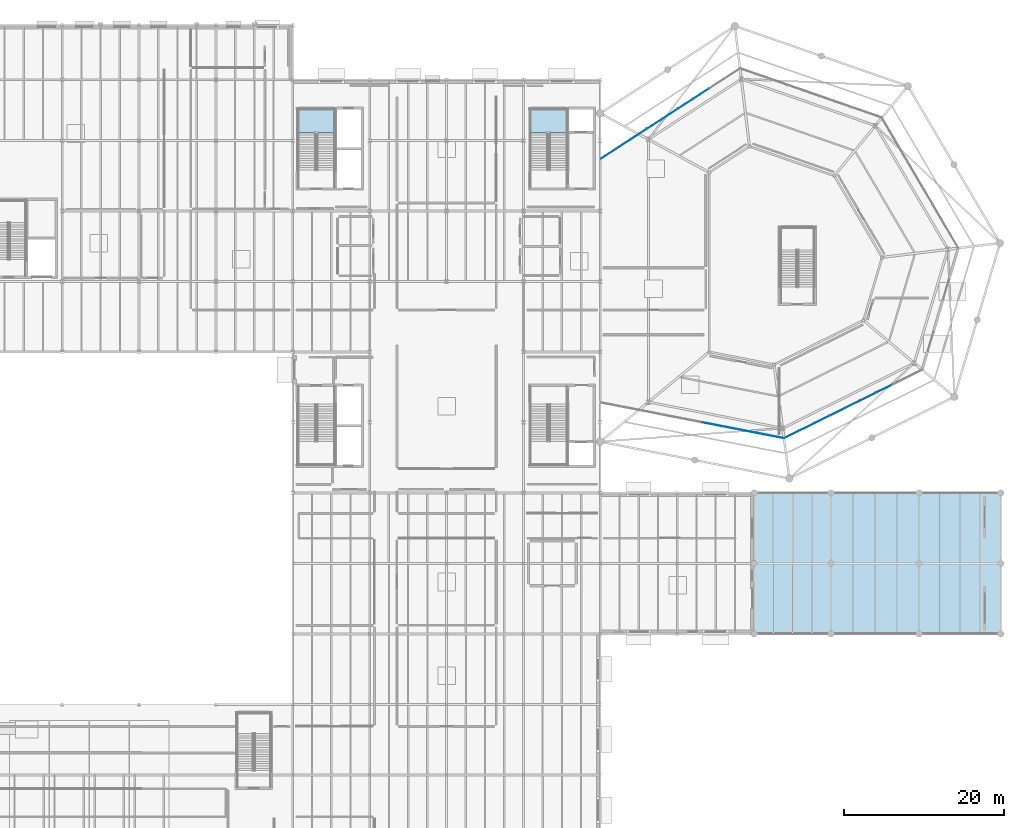
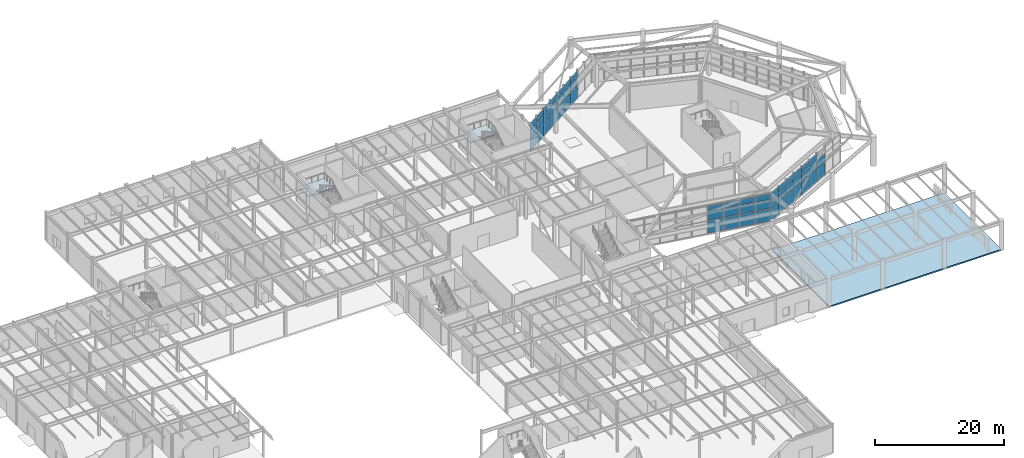
# One storey, part 38 of 70: 53 plates, 3 slabs, 10 elements without a shape of their own.
"""IFC4 building model written with IfcOpenShell, lengths in metres."""

from ifc_helpers import new_model, si_unit, direction, frame, origin, origin_2d, place, context, subcontext, project, spatial, polyline, rectangle, outline, extrude, material, layer, layer_set, type_object, element, aggregate, save


model = new_model("IFC4")

# Units and contexts
model_context = context("Model", 3, precision=1e-05, world=origin(), true_north=direction((0.0, 1.0)))
body_context = subcontext(model_context, "Body", "Model", "MODEL_VIEW")
ifc_project = project(units=[si_unit("LENGTHUNIT", "METRE"), si_unit("AREAUNIT", "SQUARE_METRE"), si_unit("VOLUMEUNIT", "CUBIC_METRE"), si_unit("PLANEANGLEUNIT", "RADIAN"), si_unit("MASSUNIT", "GRAM", prefix="KILO")], contexts=[model_context])

# Site, building, storey
site_placement = place(None, origin())
site = spatial("IfcSite", under=ifc_project, at=site_placement, CompositionType="ELEMENT")
building_placement = place(site_placement, origin())
building = spatial("IfcBuilding", under=site, at=building_placement, Name="Sarnbrook Museum", CompositionType="ELEMENT")
storey_placement = place(building_placement, origin())
storey = spatial("IfcBuildingStorey", under=building, at=storey_placement, Name="L00", CompositionType="ELEMENT", Elevation=0.0)

# Curtain wall, plates
ifc_material_1 = material(Name="Thermally Broken Anodised Aluminium 6063-T6", Category="aluminium")
curtain_wall_type = type_object("IfcCurtainWallType", Name="CurtainWall_Colonnade", PredefinedType="NOTDEFINED", material=ifc_material_1)
curtain_wall_1_placement = place(storey_placement, origin())
curtain_wall_1 = element("IfcCurtainWall", 1, at=curtain_wall_1_placement, inside=storey, type_object=curtain_wall_type, Name="Colonnade Recessed Glazing L00-F1.2", PredefinedType="NOTDEFINED")
ifc_material_2 = material(Name="Double-Glazed Low-Iron Laminated Safety Glass", Category="glass")
ifc_layer_1 = layer(ifc_material_2, 0.031982421875)
ifc_layer_set_1 = layer_set([ifc_layer_1], Name="Double-Glazed Low-Iron Laminated Safety Glass")
plate_type = type_object("IfcPlateType", Name="CW_GlazedPanel_32", PredefinedType="CURTAIN_PANEL", material=ifc_layer_set_1)
plate_1_placement = place(storey_placement, frame((133.211181640625, 65.367431640625, 1.22509765625), z_axis=(-0.191314393013, -0.981528809066, 0.0), x_axis=(0.981528809066, -0.191314393013, 0.0)))
plate_1 = element("IfcPlate", 2, at=plate_1_placement, type_object=plate_type, Name="Colonnade Recessed Glazing L00-F1.2 Glazed Panel 3-1", PredefinedType="CURTAIN_PANEL", context=body_context, shape_type="SweptSolid", body=[
    extrude(rectangle(XDim=2.52001953125, YDim=2.3798828125, at=origin_2d()), origin(), (0.0, 0.0, 1.0), 0.031982421875),
])
plate_2_placement = place(storey_placement, frame((133.211181640625, 65.367431640625, 3.27490234375), z_axis=(-0.191314393013, -0.981528809066, 0.0), x_axis=(0.981528809066, -0.191314393013, 0.0)))
plate_2 = element("IfcPlate", 3, at=plate_2_placement, type_object=plate_type, Name="Colonnade Recessed Glazing L00-F1.2 Glazed Panel 3-2", PredefinedType="CURTAIN_PANEL", context=body_context, shape_type="SweptSolid", body=[
    extrude(rectangle(XDim=2.52001953125, YDim=1.580078125, at=origin_2d()), origin(), (0.0, 0.0, 1.0), 0.031982421875),
])
plate_3_placement = place(storey_placement, frame((133.211181640625, 65.367431640625, 4.695068359375), z_axis=(-0.191314393013, -0.981528809066, 0.0), x_axis=(0.981528809066, -0.191314393013, 0.0)))
plate_3 = element("IfcPlate", 4, at=plate_3_placement, type_object=plate_type, Name="Colonnade Recessed Glazing L00-F1.2 Glazed Panel 3-3", PredefinedType="CURTAIN_PANEL", context=body_context, shape_type="SweptSolid", body=[
    extrude(rectangle(XDim=2.52001953125, YDim=1.1201171875, at=origin_2d()), origin(), (0.0, 0.0, 1.0), 0.031982421875),
])
aggregate(curtain_wall_1, [plate_1, plate_2, plate_3])

curtain_wall_2_placement = place(storey_placement, origin())
curtain_wall_2 = element("IfcCurtainWall", 5, at=curtain_wall_2_placement, inside=storey, type_object=curtain_wall_type, Name="Colonnade Recessed Glazing L00-F1.3", PredefinedType="NOTDEFINED")
plate_4_placement = place(storey_placement, frame((135.758544921875, 64.870849609375, 1.22509765625), z_axis=(-0.191314393013, -0.981528809066, 0.0), x_axis=(0.981528809066, -0.191314393013, 0.0)))
plate_4 = element("IfcPlate", 6, at=plate_4_placement, type_object=plate_type, Name="Colonnade Recessed Glazing L00-F1.3 Glazed Panel 1-1", PredefinedType="CURTAIN_PANEL", context=body_context, shape_type="SweptSolid", body=[
    extrude(rectangle(XDim=2.52001953125, YDim=2.3798828125, at=origin_2d()), origin(), (0.0, 0.0, 1.0), 0.031982421875),
])
plate_5_placement = place(storey_placement, frame((135.758544921875, 64.870849609375, 3.27490234375), z_axis=(-0.191314393013, -0.981528809066, 0.0), x_axis=(0.981528809066, -0.191314393013, 0.0)))
plate_5 = element("IfcPlate", 7, at=plate_5_placement, type_object=plate_type, Name="Colonnade Recessed Glazing L00-F1.3 Glazed Panel 1-2", PredefinedType="CURTAIN_PANEL", context=body_context, shape_type="SweptSolid", body=[
    extrude(rectangle(XDim=2.52001953125, YDim=1.580078125, at=origin_2d()), origin(), (0.0, 0.0, 1.0), 0.031982421875),
])
plate_6_placement = place(storey_placement, frame((135.758544921875, 64.870849609375, 4.695068359375), z_axis=(-0.191314393013, -0.981528809066, 0.0), x_axis=(0.981528809066, -0.191314393013, 0.0)))
plate_6 = element("IfcPlate", 8, at=plate_6_placement, type_object=plate_type, Name="Colonnade Recessed Glazing L00-F1.3 Glazed Panel 1-3", PredefinedType="CURTAIN_PANEL", context=body_context, shape_type="SweptSolid", body=[
    extrude(rectangle(XDim=2.52001953125, YDim=1.1201171875, at=origin_2d()), origin(), (0.0, 0.0, 1.0), 0.031982421875),
])
plate_7_placement = place(storey_placement, frame((138.3056640625, 64.37451171875, 1.22509765625), z_axis=(-0.191314393013, -0.981528809066, 0.0), x_axis=(0.981528809066, -0.191314393013, 0.0)))
plate_7 = element("IfcPlate", 9, at=plate_7_placement, type_object=plate_type, Name="Colonnade Recessed Glazing L00-F1.3 Glazed Panel 2-1", PredefinedType="CURTAIN_PANEL", context=body_context, shape_type="SweptSolid", body=[
    extrude(rectangle(XDim=2.52001953125, YDim=2.3798828125, at=origin_2d()), origin(), (0.0, 0.0, 1.0), 0.031982421875),
])
plate_8_placement = place(storey_placement, frame((138.3056640625, 64.37451171875, 3.27490234375), z_axis=(-0.191314393013, -0.981528809066, 0.0), x_axis=(0.981528809066, -0.191314393013, 0.0)))
plate_8 = element("IfcPlate", 10, at=plate_8_placement, type_object=plate_type, Name="Colonnade Recessed Glazing L00-F1.3 Glazed Panel 2-2", PredefinedType="CURTAIN_PANEL", context=body_context, shape_type="SweptSolid", body=[
    extrude(rectangle(XDim=2.52001953125, YDim=1.580078125, at=origin_2d()), origin(), (0.0, 0.0, 1.0), 0.031982421875),
])
plate_9_placement = place(storey_placement, frame((138.3056640625, 64.37451171875, 4.695068359375), z_axis=(-0.191314393013, -0.981528809066, 0.0), x_axis=(0.981528809066, -0.191314393013, 0.0)))
plate_9 = element("IfcPlate", 11, at=plate_9_placement, type_object=plate_type, Name="Colonnade Recessed Glazing L00-F1.3 Glazed Panel 2-3", PredefinedType="CURTAIN_PANEL", context=body_context, shape_type="SweptSolid", body=[
    extrude(rectangle(XDim=2.52001953125, YDim=1.1201171875, at=origin_2d()), origin(), (0.0, 0.0, 1.0), 0.031982421875),
])
plate_10_placement = place(storey_placement, frame((140.85302734375, 63.8779296875, 1.22509765625), z_axis=(-0.191314393013, -0.981528809066, 0.0), x_axis=(0.981528809066, -0.191314393013, 0.0)))
plate_10 = element("IfcPlate", 12, at=plate_10_placement, type_object=plate_type, Name="Colonnade Recessed Glazing L00-F1.3 Glazed Panel 3-1", PredefinedType="CURTAIN_PANEL", context=body_context, shape_type="SweptSolid", body=[
    extrude(rectangle(XDim=2.52001953125, YDim=2.3798828125, at=origin_2d()), origin(), (0.0, 0.0, 1.0), 0.031982421875),
])
plate_11_placement = place(storey_placement, frame((140.85302734375, 63.8779296875, 3.27490234375), z_axis=(-0.191314393013, -0.981528809066, 0.0), x_axis=(0.981528809066, -0.191314393013, 0.0)))
plate_11 = element("IfcPlate", 13, at=plate_11_placement, type_object=plate_type, Name="Colonnade Recessed Glazing L00-F1.3 Glazed Panel 3-2", PredefinedType="CURTAIN_PANEL", context=body_context, shape_type="SweptSolid", body=[
    extrude(rectangle(XDim=2.52001953125, YDim=1.580078125, at=origin_2d()), origin(), (0.0, 0.0, 1.0), 0.031982421875),
])
plate_12_placement = place(storey_placement, frame((140.85302734375, 63.8779296875, 4.695068359375), z_axis=(-0.191314393013, -0.981528809066, 0.0), x_axis=(0.981528809066, -0.191314393013, 0.0)))
plate_12 = element("IfcPlate", 14, at=plate_12_placement, type_object=plate_type, Name="Colonnade Recessed Glazing L00-F1.3 Glazed Panel 3-3", PredefinedType="CURTAIN_PANEL", context=body_context, shape_type="SweptSolid", body=[
    extrude(rectangle(XDim=2.52001953125, YDim=1.1201171875, at=origin_2d()), origin(), (0.0, 0.0, 1.0), 0.031982421875),
])
aggregate(curtain_wall_2, [plate_4, plate_5, plate_6, plate_7, plate_8, plate_9, plate_10, plate_11, plate_12])

curtain_wall_3_placement = place(storey_placement, origin())
curtain_wall_3 = element("IfcCurtainWall", 15, at=curtain_wall_3_placement, inside=storey, type_object=curtain_wall_type, Name="Colonnade Recessed Glazing L00-F2.1", PredefinedType="NOTDEFINED")
plate_13_placement = place(storey_placement, frame((143.080810546875, 64.104248046875, 1.22509765625), z_axis=(0.443729206176, -0.896160918355, 0.0), x_axis=(0.896160918355, 0.443729206176, 0.0)))
plate_13 = element("IfcPlate", 16, at=plate_13_placement, type_object=plate_type, Name="Colonnade Recessed Glazing L00-F2.1 Glazed Panel 1-1", PredefinedType="CURTAIN_PANEL", context=body_context, shape_type="SweptSolid", body=[
    extrude(rectangle(XDim=2.066162109375, YDim=2.3798828125, at=origin_2d()), origin(), (0.0, 0.0, 1.0), 0.031982421875),
])
plate_14_placement = place(storey_placement, frame((143.080810546875, 64.104248046875, 3.27490234375), z_axis=(0.443729206176, -0.896160918355, 0.0), x_axis=(0.896160918355, 0.443729206176, 0.0)))
plate_14 = element("IfcPlate", 17, at=plate_14_placement, type_object=plate_type, Name="Colonnade Recessed Glazing L00-F2.1 Glazed Panel 1-2", PredefinedType="CURTAIN_PANEL", context=body_context, shape_type="SweptSolid", body=[
    extrude(rectangle(XDim=2.066162109375, YDim=1.580078125, at=origin_2d()), origin(), (0.0, 0.0, 1.0), 0.031982421875),
])
plate_15_placement = place(storey_placement, frame((143.080810546875, 64.104248046875, 4.695068359375), z_axis=(0.443729206176, -0.896160918355, 0.0), x_axis=(0.896160918355, 0.443729206176, 0.0)))
plate_15 = element("IfcPlate", 18, at=plate_15_placement, type_object=plate_type, Name="Colonnade Recessed Glazing L00-F2.1 Glazed Panel 1-3", PredefinedType="CURTAIN_PANEL", context=body_context, shape_type="SweptSolid", body=[
    extrude(rectangle(XDim=2.066162109375, YDim=1.1201171875, at=origin_2d()), origin(), (0.0, 0.0, 1.0), 0.031982421875),
])
plate_16_placement = place(storey_placement, frame((144.99951171875, 65.05419921875, 1.22509765625), z_axis=(0.443729206176, -0.896160918355, 0.0), x_axis=(0.896160918355, 0.443729206176, 0.0)))
plate_16 = element("IfcPlate", 19, at=plate_16_placement, type_object=plate_type, Name="Colonnade Recessed Glazing L00-F2.1 Glazed Panel 2-1", PredefinedType="CURTAIN_PANEL", context=body_context, shape_type="SweptSolid", body=[
    extrude(rectangle(XDim=2.066162109375, YDim=2.3798828125, at=origin_2d()), origin(), (0.0, 0.0, 1.0), 0.031982421875),
])
plate_17_placement = place(storey_placement, frame((144.99951171875, 65.05419921875, 3.27490234375), z_axis=(0.443729206176, -0.896160918355, 0.0), x_axis=(0.896160918355, 0.443729206176, 0.0)))
plate_17 = element("IfcPlate", 20, at=plate_17_placement, type_object=plate_type, Name="Colonnade Recessed Glazing L00-F2.1 Glazed Panel 2-2", PredefinedType="CURTAIN_PANEL", context=body_context, shape_type="SweptSolid", body=[
    extrude(rectangle(XDim=2.066162109375, YDim=1.580078125, at=origin_2d()), origin(), (0.0, 0.0, 1.0), 0.031982421875),
])
plate_18_placement = place(storey_placement, frame((144.99951171875, 65.05419921875, 4.695068359375), z_axis=(0.443729206176, -0.896160918355, 0.0), x_axis=(0.896160918355, 0.443729206176, 0.0)))
plate_18 = element("IfcPlate", 21, at=plate_18_placement, type_object=plate_type, Name="Colonnade Recessed Glazing L00-F2.1 Glazed Panel 2-3", PredefinedType="CURTAIN_PANEL", context=body_context, shape_type="SweptSolid", body=[
    extrude(rectangle(XDim=2.066162109375, YDim=1.1201171875, at=origin_2d()), origin(), (0.0, 0.0, 1.0), 0.031982421875),
])
plate_19_placement = place(storey_placement, frame((146.91845703125, 66.00439453125, 1.22509765625), z_axis=(0.443729206176, -0.896160918355, 0.0), x_axis=(0.896160918355, 0.443729206176, 0.0)))
plate_19 = element("IfcPlate", 22, at=plate_19_placement, type_object=plate_type, Name="Colonnade Recessed Glazing L00-F2.1 Glazed Panel 3-1", PredefinedType="CURTAIN_PANEL", context=body_context, shape_type="SweptSolid", body=[
    extrude(rectangle(XDim=2.066162109375, YDim=2.3798828125, at=origin_2d()), origin(), (0.0, 0.0, 1.0), 0.031982421875),
])
plate_20_placement = place(storey_placement, frame((146.91845703125, 66.00439453125, 3.27490234375), z_axis=(0.443729206176, -0.896160918355, 0.0), x_axis=(0.896160918355, 0.443729206176, 0.0)))
plate_20 = element("IfcPlate", 23, at=plate_20_placement, type_object=plate_type, Name="Colonnade Recessed Glazing L00-F2.1 Glazed Panel 3-2", PredefinedType="CURTAIN_PANEL", context=body_context, shape_type="SweptSolid", body=[
    extrude(rectangle(XDim=2.066162109375, YDim=1.580078125, at=origin_2d()), origin(), (0.0, 0.0, 1.0), 0.031982421875),
])
plate_21_placement = place(storey_placement, frame((146.91845703125, 66.00439453125, 4.695068359375), z_axis=(0.443729206176, -0.896160918355, 0.0), x_axis=(0.896160918355, 0.443729206176, 0.0)))
plate_21 = element("IfcPlate", 24, at=plate_21_placement, type_object=plate_type, Name="Colonnade Recessed Glazing L00-F2.1 Glazed Panel 3-3", PredefinedType="CURTAIN_PANEL", context=body_context, shape_type="SweptSolid", body=[
    extrude(rectangle(XDim=2.066162109375, YDim=1.1201171875, at=origin_2d()), origin(), (0.0, 0.0, 1.0), 0.031982421875),
])
aggregate(curtain_wall_3, [plate_13, plate_14, plate_15, plate_16, plate_17, plate_18, plate_19, plate_20, plate_21])

curtain_wall_4_placement = place(storey_placement, origin())
curtain_wall_4 = element("IfcCurtainWall", 25, at=curtain_wall_4_placement, inside=storey, type_object=curtain_wall_type, Name="Colonnade Recessed Glazing L00-F2.2", PredefinedType="NOTDEFINED")
plate_22_placement = place(storey_placement, frame((148.837158203125, 66.954345703125, 1.22509765625), z_axis=(0.443729206176, -0.896160918355, 0.0), x_axis=(0.896160918355, 0.443729206176, 0.0)))
plate_22 = element("IfcPlate", 26, at=plate_22_placement, type_object=plate_type, Name="Colonnade Recessed Glazing L00-F2.2 Glazed Panel 1-1", PredefinedType="CURTAIN_PANEL", context=body_context, shape_type="SweptSolid", body=[
    extrude(rectangle(XDim=2.066162109375, YDim=2.3798828125, at=origin_2d()), origin(), (0.0, 0.0, 1.0), 0.031982421875),
])
plate_23_placement = place(storey_placement, frame((148.837158203125, 66.954345703125, 3.27490234375), z_axis=(0.443729206176, -0.896160918355, 0.0), x_axis=(0.896160918355, 0.443729206176, 0.0)))
plate_23 = element("IfcPlate", 27, at=plate_23_placement, type_object=plate_type, Name="Colonnade Recessed Glazing L00-F2.2 Glazed Panel 1-2", PredefinedType="CURTAIN_PANEL", context=body_context, shape_type="SweptSolid", body=[
    extrude(rectangle(XDim=2.066162109375, YDim=1.580078125, at=origin_2d()), origin(), (0.0, 0.0, 1.0), 0.031982421875),
])
plate_24_placement = place(storey_placement, frame((148.837158203125, 66.954345703125, 4.695068359375), z_axis=(0.443729206176, -0.896160918355, 0.0), x_axis=(0.896160918355, 0.443729206176, 0.0)))
plate_24 = element("IfcPlate", 28, at=plate_24_placement, type_object=plate_type, Name="Colonnade Recessed Glazing L00-F2.2 Glazed Panel 1-3", PredefinedType="CURTAIN_PANEL", context=body_context, shape_type="SweptSolid", body=[
    extrude(rectangle(XDim=2.066162109375, YDim=1.1201171875, at=origin_2d()), origin(), (0.0, 0.0, 1.0), 0.031982421875),
])
plate_25_placement = place(storey_placement, frame((150.756103515625, 67.904541015625, 1.22509765625), z_axis=(0.443729206176, -0.896160918355, 0.0), x_axis=(0.896160918355, 0.443729206176, 0.0)))
plate_25 = element("IfcPlate", 29, at=plate_25_placement, type_object=plate_type, Name="Colonnade Recessed Glazing L00-F2.2 Glazed Panel 2-1", PredefinedType="CURTAIN_PANEL", context=body_context, shape_type="SweptSolid", body=[
    extrude(rectangle(XDim=2.066162109375, YDim=2.3798828125, at=origin_2d()), origin(), (0.0, 0.0, 1.0), 0.031982421875),
])
plate_26_placement = place(storey_placement, frame((150.756103515625, 67.904541015625, 3.27490234375), z_axis=(0.443729206176, -0.896160918355, 0.0), x_axis=(0.896160918355, 0.443729206176, 0.0)))
plate_26 = element("IfcPlate", 30, at=plate_26_placement, type_object=plate_type, Name="Colonnade Recessed Glazing L00-F2.2 Glazed Panel 2-2", PredefinedType="CURTAIN_PANEL", context=body_context, shape_type="SweptSolid", body=[
    extrude(rectangle(XDim=2.066162109375, YDim=1.580078125, at=origin_2d()), origin(), (0.0, 0.0, 1.0), 0.031982421875),
])
plate_27_placement = place(storey_placement, frame((150.756103515625, 67.904541015625, 4.695068359375), z_axis=(0.443729206176, -0.896160918355, 0.0), x_axis=(0.896160918355, 0.443729206176, 0.0)))
plate_27 = element("IfcPlate", 31, at=plate_27_placement, type_object=plate_type, Name="Colonnade Recessed Glazing L00-F2.2 Glazed Panel 2-3", PredefinedType="CURTAIN_PANEL", context=body_context, shape_type="SweptSolid", body=[
    extrude(rectangle(XDim=2.066162109375, YDim=1.1201171875, at=origin_2d()), origin(), (0.0, 0.0, 1.0), 0.031982421875),
])
plate_28_placement = place(storey_placement, frame((152.6748046875, 68.8544921875, 1.22509765625), z_axis=(0.443729206176, -0.896160918355, 0.0), x_axis=(0.896160918355, 0.443729206176, 0.0)))
plate_28 = element("IfcPlate", 32, at=plate_28_placement, type_object=plate_type, Name="Colonnade Recessed Glazing L00-F2.2 Glazed Panel 3-1", PredefinedType="CURTAIN_PANEL", context=body_context, shape_type="SweptSolid", body=[
    extrude(rectangle(XDim=2.066162109375, YDim=2.3798828125, at=origin_2d()), origin(), (0.0, 0.0, 1.0), 0.031982421875),
])
plate_29_placement = place(storey_placement, frame((152.6748046875, 68.8544921875, 3.27490234375), z_axis=(0.443729206176, -0.896160918355, 0.0), x_axis=(0.896160918355, 0.443729206176, 0.0)))
plate_29 = element("IfcPlate", 33, at=plate_29_placement, type_object=plate_type, Name="Colonnade Recessed Glazing L00-F2.2 Glazed Panel 3-2", PredefinedType="CURTAIN_PANEL", context=body_context, shape_type="SweptSolid", body=[
    extrude(rectangle(XDim=2.066162109375, YDim=1.580078125, at=origin_2d()), origin(), (0.0, 0.0, 1.0), 0.031982421875),
])
plate_30_placement = place(storey_placement, frame((152.6748046875, 68.8544921875, 4.695068359375), z_axis=(0.443729206176, -0.896160918355, 0.0), x_axis=(0.896160918355, 0.443729206176, 0.0)))
plate_30 = element("IfcPlate", 34, at=plate_30_placement, type_object=plate_type, Name="Colonnade Recessed Glazing L00-F2.2 Glazed Panel 3-3", PredefinedType="CURTAIN_PANEL", context=body_context, shape_type="SweptSolid", body=[
    extrude(rectangle(XDim=2.066162109375, YDim=1.1201171875, at=origin_2d()), origin(), (0.0, 0.0, 1.0), 0.031982421875),
])
aggregate(curtain_wall_4, [plate_22, plate_23, plate_24, plate_25, plate_26, plate_27, plate_28, plate_29, plate_30])

curtain_wall_5_placement = place(storey_placement, origin())
curtain_wall_5 = element("IfcCurtainWall", 35, at=curtain_wall_5_placement, inside=storey, type_object=curtain_wall_type, Name="Colonnade Recessed Glazing L00-F2.3", PredefinedType="NOTDEFINED")
plate_31_placement = place(storey_placement, frame((154.593505859375, 69.8046875, 1.22509765625), z_axis=(0.443729206176, -0.896160918355, 0.0), x_axis=(0.896160918355, 0.443729206176, 0.0)))
plate_31 = element("IfcPlate", 36, at=plate_31_placement, type_object=plate_type, Name="Colonnade Recessed Glazing L00-F2.3 Glazed Panel 1-1", PredefinedType="CURTAIN_PANEL", context=body_context, shape_type="SweptSolid", body=[
    extrude(rectangle(XDim=2.066162109375, YDim=2.3798828125, at=origin_2d()), origin(), (0.0, 0.0, 1.0), 0.031982421875),
])
plate_32_placement = place(storey_placement, frame((154.593505859375, 69.8046875, 3.27490234375), z_axis=(0.443729206176, -0.896160918355, 0.0), x_axis=(0.896160918355, 0.443729206176, 0.0)))
plate_32 = element("IfcPlate", 37, at=plate_32_placement, type_object=plate_type, Name="Colonnade Recessed Glazing L00-F2.3 Glazed Panel 1-2", PredefinedType="CURTAIN_PANEL", context=body_context, shape_type="SweptSolid", body=[
    extrude(rectangle(XDim=2.066162109375, YDim=1.580078125, at=origin_2d()), origin(), (0.0, 0.0, 1.0), 0.031982421875),
])
aggregate(curtain_wall_5, [plate_31, plate_32])

curtain_wall_6_placement = place(storey_placement, origin())
curtain_wall_6 = element("IfcCurtainWall", 38, at=curtain_wall_6_placement, inside=storey, type_object=curtain_wall_type, Name="Colonnade Recessed Glazing L00-F6.1", PredefinedType="NOTDEFINED")
plate_33_placement = place(storey_placement, frame((131.80224609375, 106.64501953125, 1.22509765625), z_axis=(-0.544285608834, 0.838899979745, 0.0), x_axis=(-0.838899979745, -0.544285608834, 0.0)))
plate_33 = element("IfcPlate", 39, at=plate_33_placement, type_object=plate_type, Name="Colonnade Recessed Glazing L00-F6.1 Glazed Panel 3-1", PredefinedType="CURTAIN_PANEL", context=body_context, shape_type="SweptSolid", body=[
    extrude(rectangle(XDim=2.2353515625, YDim=2.3798828125, at=origin_2d()), origin(), (0.0, 0.0, 1.0), 0.031982421875),
])
plate_34_placement = place(storey_placement, frame((131.80224609375, 106.64501953125, 3.27490234375), z_axis=(-0.544285608834, 0.838899979745, 0.0), x_axis=(-0.838899979745, -0.544285608834, 0.0)))
plate_34 = element("IfcPlate", 40, at=plate_34_placement, type_object=plate_type, Name="Colonnade Recessed Glazing L00-F6.1 Glazed Panel 3-2", PredefinedType="CURTAIN_PANEL", context=body_context, shape_type="SweptSolid", body=[
    extrude(rectangle(XDim=2.2353515625, YDim=1.580078125, at=origin_2d()), origin(), (0.0, 0.0, 1.0), 0.031982421875),
])
plate_35_placement = place(storey_placement, frame((131.80224609375, 106.64501953125, 4.695068359375), z_axis=(-0.544285608834, 0.838899979745, 0.0), x_axis=(-0.838899979745, -0.544285608834, 0.0)))
plate_35 = element("IfcPlate", 41, at=plate_35_placement, type_object=plate_type, Name="Colonnade Recessed Glazing L00-F6.1 Glazed Panel 3-3", PredefinedType="CURTAIN_PANEL", context=body_context, shape_type="SweptSolid", body=[
    extrude(rectangle(XDim=2.2353515625, YDim=1.1201171875, at=origin_2d()), origin(), (0.0, 0.0, 1.0), 0.031982421875),
])
aggregate(curtain_wall_6, [plate_33, plate_34, plate_35])

curtain_wall_7_placement = place(storey_placement, origin())
curtain_wall_7 = element("IfcCurtainWall", 42, at=curtain_wall_7_placement, inside=storey, type_object=curtain_wall_type, Name="Colonnade Recessed Glazing L00-F6.2", PredefinedType="NOTDEFINED")
plate_36_placement = place(storey_placement, frame((129.8642578125, 105.387451171875, 1.22509765625), z_axis=(-0.544285608834, 0.838899979745, 0.0), x_axis=(-0.838899979745, -0.544285608834, 0.0)))
plate_36 = element("IfcPlate", 43, at=plate_36_placement, type_object=plate_type, Name="Colonnade Recessed Glazing L00-F6.2 Glazed Panel 1-1", PredefinedType="CURTAIN_PANEL", context=body_context, shape_type="SweptSolid", body=[
    extrude(rectangle(XDim=2.2353515625, YDim=2.3798828125, at=origin_2d()), origin(), (0.0, 0.0, 1.0), 0.031982421875),
])
plate_37_placement = place(storey_placement, frame((129.8642578125, 105.387451171875, 3.27490234375), z_axis=(-0.544285608834, 0.838899979745, 0.0), x_axis=(-0.838899979745, -0.544285608834, 0.0)))
plate_37 = element("IfcPlate", 44, at=plate_37_placement, type_object=plate_type, Name="Colonnade Recessed Glazing L00-F6.2 Glazed Panel 1-2", PredefinedType="CURTAIN_PANEL", context=body_context, shape_type="SweptSolid", body=[
    extrude(rectangle(XDim=2.2353515625, YDim=1.580078125, at=origin_2d()), origin(), (0.0, 0.0, 1.0), 0.031982421875),
])
plate_38_placement = place(storey_placement, frame((129.8642578125, 105.387451171875, 4.695068359375), z_axis=(-0.544285608834, 0.838899979745, 0.0), x_axis=(-0.838899979745, -0.544285608834, 0.0)))
plate_38 = element("IfcPlate", 45, at=plate_38_placement, type_object=plate_type, Name="Colonnade Recessed Glazing L00-F6.2 Glazed Panel 1-3", PredefinedType="CURTAIN_PANEL", context=body_context, shape_type="SweptSolid", body=[
    extrude(rectangle(XDim=2.2353515625, YDim=1.1201171875, at=origin_2d()), origin(), (0.0, 0.0, 1.0), 0.031982421875),
])
plate_39_placement = place(storey_placement, frame((127.926025390625, 104.130126953125, 1.22509765625), z_axis=(-0.544285608834, 0.838899979745, 0.0), x_axis=(-0.838899979745, -0.544285608834, 0.0)))
plate_39 = element("IfcPlate", 46, at=plate_39_placement, type_object=plate_type, Name="Colonnade Recessed Glazing L00-F6.2 Glazed Panel 2-1", PredefinedType="CURTAIN_PANEL", context=body_context, shape_type="SweptSolid", body=[
    extrude(rectangle(XDim=2.2353515625, YDim=2.3798828125, at=origin_2d()), origin(), (0.0, 0.0, 1.0), 0.031982421875),
])
plate_40_placement = place(storey_placement, frame((127.926025390625, 104.130126953125, 3.27490234375), z_axis=(-0.544285608834, 0.838899979745, 0.0), x_axis=(-0.838899979745, -0.544285608834, 0.0)))
plate_40 = element("IfcPlate", 47, at=plate_40_placement, type_object=plate_type, Name="Colonnade Recessed Glazing L00-F6.2 Glazed Panel 2-2", PredefinedType="CURTAIN_PANEL", context=body_context, shape_type="SweptSolid", body=[
    extrude(rectangle(XDim=2.2353515625, YDim=1.580078125, at=origin_2d()), origin(), (0.0, 0.0, 1.0), 0.031982421875),
])
plate_41_placement = place(storey_placement, frame((127.926025390625, 104.130126953125, 4.695068359375), z_axis=(-0.544285608834, 0.838899979745, 0.0), x_axis=(-0.838899979745, -0.544285608834, 0.0)))
plate_41 = element("IfcPlate", 48, at=plate_41_placement, type_object=plate_type, Name="Colonnade Recessed Glazing L00-F6.2 Glazed Panel 2-3", PredefinedType="CURTAIN_PANEL", context=body_context, shape_type="SweptSolid", body=[
    extrude(rectangle(XDim=2.2353515625, YDim=1.1201171875, at=origin_2d()), origin(), (0.0, 0.0, 1.0), 0.031982421875),
])
plate_42_placement = place(storey_placement, frame((125.98779296875, 102.87255859375, 1.22509765625), z_axis=(-0.544285608834, 0.838899979745, 0.0), x_axis=(-0.838899979745, -0.544285608834, 0.0)))
plate_42 = element("IfcPlate", 49, at=plate_42_placement, type_object=plate_type, Name="Colonnade Recessed Glazing L00-F6.2 Glazed Panel 3-1", PredefinedType="CURTAIN_PANEL", context=body_context, shape_type="SweptSolid", body=[
    extrude(rectangle(XDim=2.2353515625, YDim=2.3798828125, at=origin_2d()), origin(), (0.0, 0.0, 1.0), 0.031982421875),
])
plate_43_placement = place(storey_placement, frame((125.98779296875, 102.87255859375, 3.27490234375), z_axis=(-0.544285608834, 0.838899979745, 0.0), x_axis=(-0.838899979745, -0.544285608834, 0.0)))
plate_43 = element("IfcPlate", 50, at=plate_43_placement, type_object=plate_type, Name="Colonnade Recessed Glazing L00-F6.2 Glazed Panel 3-2", PredefinedType="CURTAIN_PANEL", context=body_context, shape_type="SweptSolid", body=[
    extrude(rectangle(XDim=2.2353515625, YDim=1.580078125, at=origin_2d()), origin(), (0.0, 0.0, 1.0), 0.031982421875),
])
plate_44_placement = place(storey_placement, frame((125.98779296875, 102.87255859375, 4.695068359375), z_axis=(-0.544285608834, 0.838899979745, 0.0), x_axis=(-0.838899979745, -0.544285608834, 0.0)))
plate_44 = element("IfcPlate", 51, at=plate_44_placement, type_object=plate_type, Name="Colonnade Recessed Glazing L00-F6.2 Glazed Panel 3-3", PredefinedType="CURTAIN_PANEL", context=body_context, shape_type="SweptSolid", body=[
    extrude(rectangle(XDim=2.2353515625, YDim=1.1201171875, at=origin_2d()), origin(), (0.0, 0.0, 1.0), 0.031982421875),
])
aggregate(curtain_wall_7, [plate_36, plate_37, plate_38, plate_39, plate_40, plate_41, plate_42, plate_43, plate_44])

curtain_wall_8_placement = place(storey_placement, origin())
curtain_wall_8 = element("IfcCurtainWall", 52, at=curtain_wall_8_placement, inside=storey, type_object=curtain_wall_type, Name="Colonnade Recessed Glazing L00-F6.3", PredefinedType="NOTDEFINED")
plate_45_placement = place(storey_placement, frame((124.0498046875, 101.615234375, 1.22509765625), z_axis=(-0.544285608834, 0.838899979745, 0.0), x_axis=(-0.838899979745, -0.544285608834, 0.0)))
plate_45 = element("IfcPlate", 53, at=plate_45_placement, type_object=plate_type, Name="Colonnade Recessed Glazing L00-F6.3 Glazed Panel 1-1", PredefinedType="CURTAIN_PANEL", context=body_context, shape_type="SweptSolid", body=[
    extrude(rectangle(XDim=2.2353515625, YDim=2.3798828125, at=origin_2d()), origin(), (0.0, 0.0, 1.0), 0.031982421875),
])
plate_46_placement = place(storey_placement, frame((124.0498046875, 101.615234375, 3.27490234375), z_axis=(-0.544285608834, 0.838899979745, 0.0), x_axis=(-0.838899979745, -0.544285608834, 0.0)))
plate_46 = element("IfcPlate", 54, at=plate_46_placement, type_object=plate_type, Name="Colonnade Recessed Glazing L00-F6.3 Glazed Panel 1-2", PredefinedType="CURTAIN_PANEL", context=body_context, shape_type="SweptSolid", body=[
    extrude(rectangle(XDim=2.2353515625, YDim=1.580078125, at=origin_2d()), origin(), (0.0, 0.0, 1.0), 0.031982421875),
])
plate_47_placement = place(storey_placement, frame((124.0498046875, 101.615234375, 4.695068359375), z_axis=(-0.544285608834, 0.838899979745, 0.0), x_axis=(-0.838899979745, -0.544285608834, 0.0)))
plate_47 = element("IfcPlate", 55, at=plate_47_placement, type_object=plate_type, Name="Colonnade Recessed Glazing L00-F6.3 Glazed Panel 1-3", PredefinedType="CURTAIN_PANEL", context=body_context, shape_type="SweptSolid", body=[
    extrude(rectangle(XDim=2.2353515625, YDim=1.1201171875, at=origin_2d()), origin(), (0.0, 0.0, 1.0), 0.031982421875),
])
plate_48_placement = place(storey_placement, frame((122.111572265625, 100.357666015625, 1.22509765625), z_axis=(-0.544285608834, 0.838899979745, 0.0), x_axis=(-0.838899979745, -0.544285608834, 0.0)))
plate_48 = element("IfcPlate", 56, at=plate_48_placement, type_object=plate_type, Name="Colonnade Recessed Glazing L00-F6.3 Glazed Panel 2-1", PredefinedType="CURTAIN_PANEL", context=body_context, shape_type="SweptSolid", body=[
    extrude(rectangle(XDim=2.2353515625, YDim=2.3798828125, at=origin_2d()), origin(), (0.0, 0.0, 1.0), 0.031982421875),
])
plate_49_placement = place(storey_placement, frame((122.111572265625, 100.357666015625, 3.27490234375), z_axis=(-0.544285608834, 0.838899979745, 0.0), x_axis=(-0.838899979745, -0.544285608834, 0.0)))
plate_49 = element("IfcPlate", 57, at=plate_49_placement, type_object=plate_type, Name="Colonnade Recessed Glazing L00-F6.3 Glazed Panel 2-2", PredefinedType="CURTAIN_PANEL", context=body_context, shape_type="SweptSolid", body=[
    extrude(rectangle(XDim=2.2353515625, YDim=1.580078125, at=origin_2d()), origin(), (0.0, 0.0, 1.0), 0.031982421875),
])
plate_50_placement = place(storey_placement, frame((122.111572265625, 100.357666015625, 4.695068359375), z_axis=(-0.544285608834, 0.838899979745, 0.0), x_axis=(-0.838899979745, -0.544285608834, 0.0)))
plate_50 = element("IfcPlate", 58, at=plate_50_placement, type_object=plate_type, Name="Colonnade Recessed Glazing L00-F6.3 Glazed Panel 2-3", PredefinedType="CURTAIN_PANEL", context=body_context, shape_type="SweptSolid", body=[
    extrude(rectangle(XDim=2.2353515625, YDim=1.1201171875, at=origin_2d()), origin(), (0.0, 0.0, 1.0), 0.031982421875),
])
plate_51_placement = place(storey_placement, frame((120.173583984375, 99.100341796875, 1.22509765625), z_axis=(-0.544285608834, 0.838899979745, 0.0), x_axis=(-0.838899979745, -0.544285608834, 0.0)))
plate_51 = element("IfcPlate", 59, at=plate_51_placement, type_object=plate_type, Name="Colonnade Recessed Glazing L00-F6.3 Glazed Panel 3-1", PredefinedType="CURTAIN_PANEL", context=body_context, shape_type="SweptSolid", body=[
    extrude(rectangle(XDim=2.2353515625, YDim=2.3798828125, at=origin_2d()), origin(), (0.0, 0.0, 1.0), 0.031982421875),
])
plate_52_placement = place(storey_placement, frame((120.173583984375, 99.100341796875, 3.27490234375), z_axis=(-0.544285608834, 0.838899979745, 0.0), x_axis=(-0.838899979745, -0.544285608834, 0.0)))
plate_52 = element("IfcPlate", 60, at=plate_52_placement, type_object=plate_type, Name="Colonnade Recessed Glazing L00-F6.3 Glazed Panel 3-2", PredefinedType="CURTAIN_PANEL", context=body_context, shape_type="SweptSolid", body=[
    extrude(rectangle(XDim=2.2353515625, YDim=1.580078125, at=origin_2d()), origin(), (0.0, 0.0, 1.0), 0.031982421875),
])
plate_53_placement = place(storey_placement, frame((120.173583984375, 99.100341796875, 4.695068359375), z_axis=(-0.544285608834, 0.838899979745, 0.0), x_axis=(-0.838899979745, -0.544285608834, 0.0)))
plate_53 = element("IfcPlate", 61, at=plate_53_placement, type_object=plate_type, Name="Colonnade Recessed Glazing L00-F6.3 Glazed Panel 3-3", PredefinedType="CURTAIN_PANEL", context=body_context, shape_type="SweptSolid", body=[
    extrude(rectangle(XDim=2.2353515625, YDim=1.1201171875, at=origin_2d()), origin(), (0.0, 0.0, 1.0), 0.031982421875),
])
aggregate(curtain_wall_8, [plate_45, plate_46, plate_47, plate_48, plate_49, plate_50, plate_51, plate_52, plate_53])

# Stair, slab
ifc_material_3 = material(Name="Concrete N40 (AS 3600, f'c = 40 MPa)", Category="concrete")
stair_type = type_object("IfcStairType", Name="Stair_ST02", PredefinedType="HALF_TURN_STAIR", material=ifc_material_3)
stair_1_placement = place(storey_placement, origin())
stair_1 = element("IfcStair", 62, at=stair_1_placement, inside=storey, type_object=stair_type, Name="L00 Exit Stair ST2", PredefinedType="HALF_TURN_STAIR")
ifc_layer_2 = layer(ifc_material_3, 0.199951171875)
ifc_layer_set_2 = layer_set([ifc_layer_2], Name="Concrete N40 (AS 3600, f'c = 40 MPa)")
slab_type_1 = type_object("IfcSlabType", Name="Landing_200", PredefinedType="LANDING", material=ifc_layer_set_2)
slab_1_placement = place(storey_placement, frame((0.0, 0.0, 2.60009765625)))
slab_1 = element("IfcSlab", 63, at=slab_1_placement, type_object=slab_type_1, Name="ST2 landing 1", PredefinedType="LANDING", context=body_context, shape_type="SweptSolid", body=[
    extrude(outline(polyline([(115.06005859375, 101.760009765625), (115.06005859375, 104.699951171875), (110.43994140625, 104.699951171875), (110.43994140625, 101.760009765625), (115.06005859375, 101.760009765625)])), origin(), (0.0, 0.0, 1.0), 0.199951171875),
])
aggregate(stair_1, [slab_1])

stair_2_placement = place(storey_placement, origin())
stair_2 = element("IfcStair", 64, at=stair_2_placement, inside=storey, type_object=stair_type, Name="L00 Exit Stair ST4", PredefinedType="HALF_TURN_STAIR")
slab_2_placement = place(storey_placement, frame((0.0, 0.0, 2.60009765625)))
slab_2 = element("IfcSlab", 65, at=slab_2_placement, type_object=slab_type_1, Name="ST4 landing 1", PredefinedType="LANDING", context=body_context, shape_type="SweptSolid", body=[
    extrude(outline(polyline([(86.06005859375, 101.760009765625), (86.06005859375, 104.699951171875), (81.43994140625, 104.699951171875), (81.43994140625, 101.760009765625), (86.06005859375, 101.760009765625)])), origin(), (0.0, 0.0, 1.0), 0.199951171875),
])
aggregate(stair_2, [slab_2])

# Slab
ifc_layer_3 = layer(ifc_material_3, 0.239990234375)
ifc_layer_set_3 = layer_set([ifc_layer_3], Name="Concrete N40 (AS 3600, f'c = 40 MPa)")
slab_type_2 = type_object("IfcSlabType", Name="PorticoSlab_240", PredefinedType="FLOOR", material=ifc_layer_set_3)
slab_3_placement = place(storey_placement, frame((0.0, 0.0, -0.239990234375)))
element("IfcSlab", 66, at=slab_3_placement, inside=storey, type_object=slab_type_2, Name="Forecourt Portico Plinth Slab L00", PredefinedType="FLOOR", context=body_context, shape_type="SweptSolid", body=[
    extrude(outline(polyline([(169.199951171875, 39.199951171875), (138.43505859375, 39.199951171875), (138.43505859375, 56.800048828125), (169.199951171875, 56.800048828125), (169.199951171875, 39.199951171875)])), origin(), (0.0, 0.0, 1.0), 0.239990234375),
])

save(model, "model.ifc")
